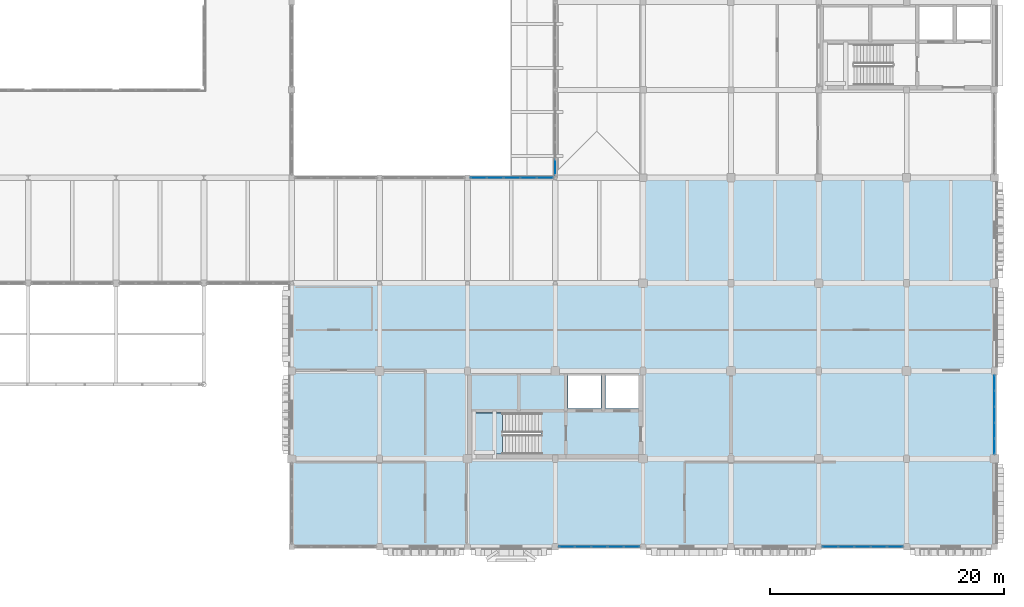
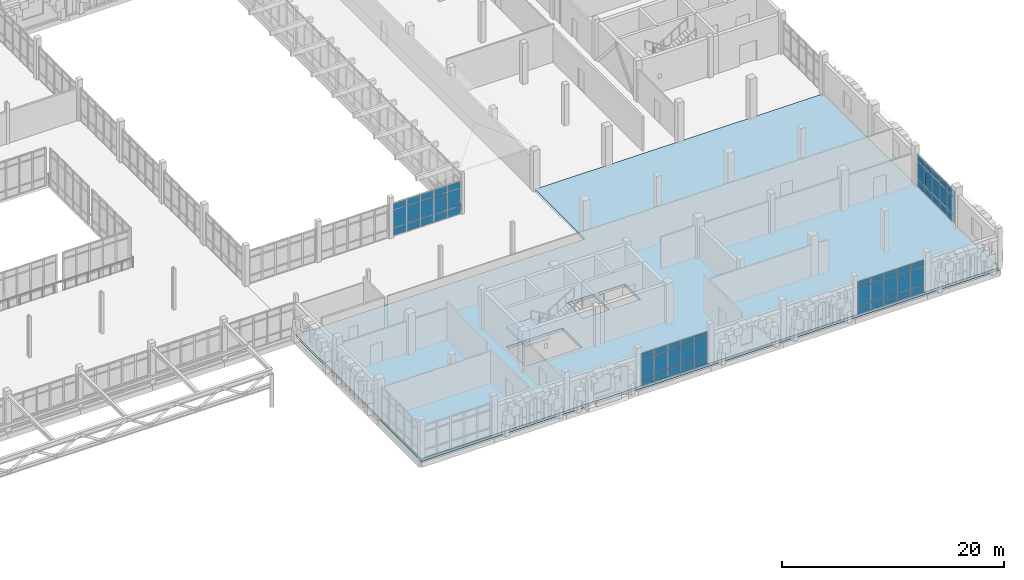
# One storey, part 87 of 128: 61 plates, 2 slabs, 6 elements without a shape of their own.
"""IFC4 building model written with IfcOpenShell, lengths in metres."""

from ifc_helpers import new_model, si_unit, direction, frame, origin, origin_2d, place, context, subcontext, project, spatial, polyline, rectangle, outline, extrude, material, layer, layer_set, type_object, element, aggregate, save


model = new_model("IFC4")

# Units and contexts
model_context = context("Model", 3, precision=1e-05, world=origin(), true_north=direction((0.0, 1.0)))
body_context = subcontext(model_context, "Body", "Model", "MODEL_VIEW")
ifc_project = project(units=[si_unit("LENGTHUNIT", "METRE"), si_unit("AREAUNIT", "SQUARE_METRE"), si_unit("VOLUMEUNIT", "CUBIC_METRE"), si_unit("PLANEANGLEUNIT", "RADIAN"), si_unit("MASSUNIT", "GRAM", prefix="KILO")], contexts=[model_context])

# Site, building, storey
site_placement = place(None, origin())
site = spatial("IfcSite", under=ifc_project, at=site_placement, CompositionType="ELEMENT")
building_placement = place(site_placement, origin())
building = spatial("IfcBuilding", under=site, at=building_placement, Name="Dalvernix Boulevard General Hospital", CompositionType="ELEMENT")
storey_placement = place(building_placement, frame((0.0, 0.0, 4.800048828125)))
storey = spatial("IfcBuildingStorey", under=building, at=storey_placement, Name="L01", CompositionType="ELEMENT", Elevation=4.800048828125)

# Curtain wall, plates
ifc_material_1 = material(Name="Thermally broken aluminium and solar-control glass curtain wall", Category="aluminium")
ifc_layer_1 = layer(ifc_material_1, 0.179931640625)
ifc_layer_set_1 = layer_set([ifc_layer_1], Name="Thermally broken aluminium and solar-control glass curtain wall (CW-CW-B-71x36)")
curtain_wall_type_1 = type_object("IfcCurtainWallType", Name="CW-CW-B-71x36", PredefinedType="USERDEFINED", material=ifc_layer_set_1)
curtain_wall_1_placement = place(storey_placement, origin())
curtain_wall_1 = element("IfcCurtainWall", 1, at=curtain_wall_1_placement, inside=storey, type_object=curtain_wall_type_1, Name="L01 curtain wall CW-B-71x36 17-4", ObjectType="GLAZED FACADE", PredefinedType="USERDEFINED")
ifc_material_2 = material(Name="Double-glazed solar-control low-emissivity glass", Category="glass")
ifc_layer_2 = layer(ifc_material_2, 0.028076171875)
ifc_layer_set_2 = layer_set([ifc_layer_2], Name="Double-glazed solar-control low-emissivity glass (PLT-CW-P2)")
plate_type_1 = type_object("IfcPlateType", Name="PLT-CW-P2", PredefinedType="CURTAIN_PANEL", material=ifc_layer_set_2)
plate_1_placement = place(storey_placement, frame((128.462646484375, 31.5, 0.06494140625), z_axis=(0.0, 0.0, 1.0), x_axis=(1.0, 0.0, 0.0)))
plate_1 = element("IfcPlate", 2, at=plate_1_placement, type_object=plate_type_1, Name="CW-B-71x36 panel 1.1", PredefinedType="CURTAIN_PANEL", context=body_context, shape_type="SweptSolid", body=[
    extrude(rectangle(XDim=1.325439453125, YDim=0.028076171875, at=origin_2d()), origin(), (0.0, 0.0, 1.0), 0.802490234375),
])
plate_2_placement = place(storey_placement, frame((128.462646484375, 31.5, 0.932373046875), z_axis=(0.0, 0.0, 1.0), x_axis=(1.0, 0.0, 0.0)))
plate_2 = element("IfcPlate", 3, at=plate_2_placement, type_object=plate_type_1, Name="CW-B-71x36 panel 1.2", PredefinedType="CURTAIN_PANEL", context=body_context, shape_type="SweptSolid", body=[
    extrude(rectangle(XDim=1.325439453125, YDim=0.028076171875, at=origin_2d()), origin(), (0.0, 0.0, 1.0), 1.9150390625),
])
plate_3_placement = place(storey_placement, frame((128.462646484375, 31.5, 2.91259765625), z_axis=(0.0, 0.0, 1.0), x_axis=(1.0, 0.0, 0.0)))
plate_3 = element("IfcPlate", 4, at=plate_3_placement, type_object=plate_type_1, Name="CW-B-71x36 panel 1.3", PredefinedType="CURTAIN_PANEL", context=body_context, shape_type="SweptSolid", body=[
    extrude(rectangle(XDim=1.325439453125, YDim=0.028076171875, at=origin_2d()), origin(), (0.0, 0.0, 1.0), 0.652587890625),
])
plate_4_placement = place(storey_placement, frame((129.869384765625, 31.5, 0.06494140625), z_axis=(0.0, 0.0, 1.0), x_axis=(1.0, 0.0, 0.0)))
plate_4 = element("IfcPlate", 5, at=plate_4_placement, type_object=plate_type_1, Name="CW-B-71x36 panel 2.1", PredefinedType="CURTAIN_PANEL", context=body_context, shape_type="SweptSolid", body=[
    extrude(rectangle(XDim=1.35791015625, YDim=0.028076171875, at=origin_2d()), origin(), (0.0, 0.0, 1.0), 0.802490234375),
])
plate_5_placement = place(storey_placement, frame((129.869384765625, 31.5, 0.932373046875), z_axis=(0.0, 0.0, 1.0), x_axis=(1.0, 0.0, 0.0)))
plate_5 = element("IfcPlate", 6, at=plate_5_placement, type_object=plate_type_1, Name="CW-B-71x36 panel 2.2", PredefinedType="CURTAIN_PANEL", context=body_context, shape_type="SweptSolid", body=[
    extrude(rectangle(XDim=1.35791015625, YDim=0.028076171875, at=origin_2d()), origin(), (0.0, 0.0, 1.0), 1.9150390625),
])
plate_6_placement = place(storey_placement, frame((129.869384765625, 31.5, 2.91259765625), z_axis=(0.0, 0.0, 1.0), x_axis=(1.0, 0.0, 0.0)))
plate_6 = element("IfcPlate", 7, at=plate_6_placement, type_object=plate_type_1, Name="CW-B-71x36 panel 2.3", PredefinedType="CURTAIN_PANEL", context=body_context, shape_type="SweptSolid", body=[
    extrude(rectangle(XDim=1.35791015625, YDim=0.028076171875, at=origin_2d()), origin(), (0.0, 0.0, 1.0), 0.652587890625),
])
plate_7_placement = place(storey_placement, frame((131.29248046875, 31.5, 0.06494140625), z_axis=(0.0, 0.0, 1.0), x_axis=(1.0, 0.0, 0.0)))
plate_7 = element("IfcPlate", 8, at=plate_7_placement, type_object=plate_type_1, Name="CW-B-71x36 panel 3.1", PredefinedType="CURTAIN_PANEL", context=body_context, shape_type="SweptSolid", body=[
    extrude(rectangle(XDim=1.35791015625, YDim=0.028076171875, at=origin_2d()), origin(), (0.0, 0.0, 1.0), 0.802490234375),
])
plate_8_placement = place(storey_placement, frame((131.29248046875, 31.5, 0.932373046875), z_axis=(0.0, 0.0, 1.0), x_axis=(1.0, 0.0, 0.0)))
plate_8 = element("IfcPlate", 9, at=plate_8_placement, type_object=plate_type_1, Name="CW-B-71x36 panel 3.2", PredefinedType="CURTAIN_PANEL", context=body_context, shape_type="SweptSolid", body=[
    extrude(rectangle(XDim=1.35791015625, YDim=0.028076171875, at=origin_2d()), origin(), (0.0, 0.0, 1.0), 1.9150390625),
])
plate_9_placement = place(storey_placement, frame((131.29248046875, 31.5, 2.91259765625), z_axis=(0.0, 0.0, 1.0), x_axis=(1.0, 0.0, 0.0)))
plate_9 = element("IfcPlate", 10, at=plate_9_placement, type_object=plate_type_1, Name="CW-B-71x36 panel 3.3", PredefinedType="CURTAIN_PANEL", context=body_context, shape_type="SweptSolid", body=[
    extrude(rectangle(XDim=1.35791015625, YDim=0.028076171875, at=origin_2d()), origin(), (0.0, 0.0, 1.0), 0.652587890625),
])
plate_10_placement = place(storey_placement, frame((132.715576171875, 31.5, 0.06494140625), z_axis=(0.0, 0.0, 1.0), x_axis=(1.0, 0.0, 0.0)))
plate_10 = element("IfcPlate", 11, at=plate_10_placement, type_object=plate_type_1, Name="CW-B-71x36 panel 4.1", PredefinedType="CURTAIN_PANEL", context=body_context, shape_type="SweptSolid", body=[
    extrude(rectangle(XDim=1.35791015625, YDim=0.028076171875, at=origin_2d()), origin(), (0.0, 0.0, 1.0), 0.802490234375),
])
plate_11_placement = place(storey_placement, frame((132.715576171875, 31.5, 0.932373046875), z_axis=(0.0, 0.0, 1.0), x_axis=(1.0, 0.0, 0.0)))
plate_11 = element("IfcPlate", 12, at=plate_11_placement, type_object=plate_type_1, Name="CW-B-71x36 panel 4.2", PredefinedType="CURTAIN_PANEL", context=body_context, shape_type="SweptSolid", body=[
    extrude(rectangle(XDim=1.35791015625, YDim=0.028076171875, at=origin_2d()), origin(), (0.0, 0.0, 1.0), 1.9150390625),
])
plate_12_placement = place(storey_placement, frame((132.715576171875, 31.5, 2.91259765625), z_axis=(0.0, 0.0, 1.0), x_axis=(1.0, 0.0, 0.0)))
plate_12 = element("IfcPlate", 13, at=plate_12_placement, type_object=plate_type_1, Name="CW-B-71x36 panel 4.3", PredefinedType="CURTAIN_PANEL", context=body_context, shape_type="SweptSolid", body=[
    extrude(rectangle(XDim=1.35791015625, YDim=0.028076171875, at=origin_2d()), origin(), (0.0, 0.0, 1.0), 0.652587890625),
])
plate_13_placement = place(storey_placement, frame((134.122314453125, 31.5, 0.06494140625), z_axis=(0.0, 0.0, 1.0), x_axis=(1.0, 0.0, 0.0)))
plate_13 = element("IfcPlate", 14, at=plate_13_placement, type_object=plate_type_1, Name="CW-B-71x36 panel 5.1", PredefinedType="CURTAIN_PANEL", context=body_context, shape_type="SweptSolid", body=[
    extrude(rectangle(XDim=1.325439453125, YDim=0.028076171875, at=origin_2d()), origin(), (0.0, 0.0, 1.0), 0.802490234375),
])
plate_14_placement = place(storey_placement, frame((134.122314453125, 31.5, 0.932373046875), z_axis=(0.0, 0.0, 1.0), x_axis=(1.0, 0.0, 0.0)))
plate_14 = element("IfcPlate", 15, at=plate_14_placement, type_object=plate_type_1, Name="CW-B-71x36 panel 5.2", PredefinedType="CURTAIN_PANEL", context=body_context, shape_type="SweptSolid", body=[
    extrude(rectangle(XDim=1.325439453125, YDim=0.028076171875, at=origin_2d()), origin(), (0.0, 0.0, 1.0), 1.9150390625),
])
plate_15_placement = place(storey_placement, frame((134.122314453125, 31.5, 2.91259765625), z_axis=(0.0, 0.0, 1.0), x_axis=(1.0, 0.0, 0.0)))
plate_15 = element("IfcPlate", 16, at=plate_15_placement, type_object=plate_type_1, Name="CW-B-71x36 panel 5.3", PredefinedType="CURTAIN_PANEL", context=body_context, shape_type="SweptSolid", body=[
    extrude(rectangle(XDim=1.325439453125, YDim=0.028076171875, at=origin_2d()), origin(), (0.0, 0.0, 1.0), 0.652587890625),
])
aggregate(curtain_wall_1, [plate_1, plate_2, plate_3, plate_4, plate_5, plate_6, plate_7, plate_8, plate_9, plate_10, plate_11, plate_12, plate_13, plate_14, plate_15])

ifc_layer_3 = layer(ifc_material_1, 0.179931640625)
ifc_layer_set_3 = layer_set([ifc_layer_3], Name="Thermally broken aluminium and solar-control glass curtain wall (CW-CW-B-70x36)")
curtain_wall_type_2 = type_object("IfcCurtainWallType", Name="CW-CW-B-70x36", PredefinedType="USERDEFINED", material=ifc_layer_set_3)
curtain_wall_2_placement = place(storey_placement, origin())
curtain_wall_2 = element("IfcCurtainWall", 17, at=curtain_wall_2_placement, inside=storey, type_object=curtain_wall_type_2, Name="L01 curtain wall CW-B-70x36 18-0", ObjectType="GLAZED FACADE", PredefinedType="USERDEFINED")
plate_16_placement = place(storey_placement, frame((141.5283203125, 0.0, 0.06494140625), z_axis=(0.0, 0.0, 1.0), x_axis=(-1.0, 0.0, 0.0)))
plate_16 = element("IfcPlate", 18, at=plate_16_placement, type_object=plate_type_1, Name="CW-B-70x36 panel 1.1", PredefinedType="CURTAIN_PANEL", context=body_context, shape_type="SweptSolid", body=[
    extrude(rectangle(XDim=1.29345703125, YDim=0.028076171875, at=origin_2d()), origin(), (0.0, 0.0, 1.0), 0.802490234375),
])
plate_17_placement = place(storey_placement, frame((141.5283203125, 0.0, 0.932373046875), z_axis=(0.0, 0.0, 1.0), x_axis=(-1.0, 0.0, 0.0)))
plate_17 = element("IfcPlate", 19, at=plate_17_placement, type_object=plate_type_1, Name="CW-B-70x36 panel 1.2", PredefinedType="CURTAIN_PANEL", context=body_context, shape_type="SweptSolid", body=[
    extrude(rectangle(XDim=1.29345703125, YDim=0.028076171875, at=origin_2d()), origin(), (0.0, 0.0, 1.0), 1.9150390625),
])
plate_18_placement = place(storey_placement, frame((141.5283203125, 0.0, 2.91259765625), z_axis=(0.0, 0.0, 1.0), x_axis=(-1.0, 0.0, 0.0)))
plate_18 = element("IfcPlate", 20, at=plate_18_placement, type_object=plate_type_1, Name="CW-B-70x36 panel 1.3", PredefinedType="CURTAIN_PANEL", context=body_context, shape_type="SweptSolid", body=[
    extrude(rectangle(XDim=1.29345703125, YDim=0.028076171875, at=origin_2d()), origin(), (0.0, 0.0, 1.0), 0.652587890625),
])
plate_19_placement = place(storey_placement, frame((140.153564453125, 0.0, 0.06494140625), z_axis=(0.0, 0.0, 1.0), x_axis=(-1.0, 0.0, 0.0)))
plate_19 = element("IfcPlate", 21, at=plate_19_placement, type_object=plate_type_1, Name="CW-B-70x36 panel 2.1", PredefinedType="CURTAIN_PANEL", context=body_context, shape_type="SweptSolid", body=[
    extrude(rectangle(XDim=1.325927734375, YDim=0.028076171875, at=origin_2d()), origin(), (0.0, 0.0, 1.0), 0.802490234375),
])
plate_20_placement = place(storey_placement, frame((140.153564453125, 0.0, 0.932373046875), z_axis=(0.0, 0.0, 1.0), x_axis=(-1.0, 0.0, 0.0)))
plate_20 = element("IfcPlate", 22, at=plate_20_placement, type_object=plate_type_1, Name="CW-B-70x36 panel 2.2", PredefinedType="CURTAIN_PANEL", context=body_context, shape_type="SweptSolid", body=[
    extrude(rectangle(XDim=1.325927734375, YDim=0.028076171875, at=origin_2d()), origin(), (0.0, 0.0, 1.0), 1.9150390625),
])
plate_21_placement = place(storey_placement, frame((140.153564453125, 0.0, 2.91259765625), z_axis=(0.0, 0.0, 1.0), x_axis=(-1.0, 0.0, 0.0)))
plate_21 = element("IfcPlate", 23, at=plate_21_placement, type_object=plate_type_1, Name="CW-B-70x36 panel 2.3", PredefinedType="CURTAIN_PANEL", context=body_context, shape_type="SweptSolid", body=[
    extrude(rectangle(XDim=1.325927734375, YDim=0.028076171875, at=origin_2d()), origin(), (0.0, 0.0, 1.0), 0.652587890625),
])
plate_22_placement = place(storey_placement, frame((138.762451171875, 0.0, 0.06494140625), z_axis=(0.0, 0.0, 1.0), x_axis=(-1.0, 0.0, 0.0)))
plate_22 = element("IfcPlate", 24, at=plate_22_placement, type_object=plate_type_1, Name="CW-B-70x36 panel 3.1", PredefinedType="CURTAIN_PANEL", context=body_context, shape_type="SweptSolid", body=[
    extrude(rectangle(XDim=1.325927734375, YDim=0.028076171875, at=origin_2d()), origin(), (0.0, 0.0, 1.0), 0.802490234375),
])
plate_23_placement = place(storey_placement, frame((138.762451171875, 0.0, 0.932373046875), z_axis=(0.0, 0.0, 1.0), x_axis=(-1.0, 0.0, 0.0)))
plate_23 = element("IfcPlate", 25, at=plate_23_placement, type_object=plate_type_1, Name="CW-B-70x36 panel 3.2", PredefinedType="CURTAIN_PANEL", context=body_context, shape_type="SweptSolid", body=[
    extrude(rectangle(XDim=1.325927734375, YDim=0.028076171875, at=origin_2d()), origin(), (0.0, 0.0, 1.0), 1.9150390625),
])
plate_24_placement = place(storey_placement, frame((138.762451171875, 0.0, 2.91259765625), z_axis=(0.0, 0.0, 1.0), x_axis=(-1.0, 0.0, 0.0)))
plate_24 = element("IfcPlate", 26, at=plate_24_placement, type_object=plate_type_1, Name="CW-B-70x36 panel 3.3", PredefinedType="CURTAIN_PANEL", context=body_context, shape_type="SweptSolid", body=[
    extrude(rectangle(XDim=1.325927734375, YDim=0.028076171875, at=origin_2d()), origin(), (0.0, 0.0, 1.0), 0.652587890625),
])
plate_25_placement = place(storey_placement, frame((137.37158203125, 0.0, 0.06494140625), z_axis=(0.0, 0.0, 1.0), x_axis=(-1.0, 0.0, 0.0)))
plate_25 = element("IfcPlate", 27, at=plate_25_placement, type_object=plate_type_1, Name="CW-B-70x36 panel 4.1", PredefinedType="CURTAIN_PANEL", context=body_context, shape_type="SweptSolid", body=[
    extrude(rectangle(XDim=1.325927734375, YDim=0.028076171875, at=origin_2d()), origin(), (0.0, 0.0, 1.0), 0.802490234375),
])
plate_26_placement = place(storey_placement, frame((137.37158203125, 0.0, 0.932373046875), z_axis=(0.0, 0.0, 1.0), x_axis=(-1.0, 0.0, 0.0)))
plate_26 = element("IfcPlate", 28, at=plate_26_placement, type_object=plate_type_1, Name="CW-B-70x36 panel 4.2", PredefinedType="CURTAIN_PANEL", context=body_context, shape_type="SweptSolid", body=[
    extrude(rectangle(XDim=1.325927734375, YDim=0.028076171875, at=origin_2d()), origin(), (0.0, 0.0, 1.0), 1.9150390625),
])
plate_27_placement = place(storey_placement, frame((137.37158203125, 0.0, 2.91259765625), z_axis=(0.0, 0.0, 1.0), x_axis=(-1.0, 0.0, 0.0)))
plate_27 = element("IfcPlate", 29, at=plate_27_placement, type_object=plate_type_1, Name="CW-B-70x36 panel 4.3", PredefinedType="CURTAIN_PANEL", context=body_context, shape_type="SweptSolid", body=[
    extrude(rectangle(XDim=1.325927734375, YDim=0.028076171875, at=origin_2d()), origin(), (0.0, 0.0, 1.0), 0.652587890625),
])
plate_28_placement = place(storey_placement, frame((135.996826171875, 0.0, 0.06494140625), z_axis=(0.0, 0.0, 1.0), x_axis=(-1.0, 0.0, 0.0)))
plate_28 = element("IfcPlate", 30, at=plate_28_placement, type_object=plate_type_1, Name="CW-B-70x36 panel 5.1", PredefinedType="CURTAIN_PANEL", context=body_context, shape_type="SweptSolid", body=[
    extrude(rectangle(XDim=1.29345703125, YDim=0.028076171875, at=origin_2d()), origin(), (0.0, 0.0, 1.0), 0.802490234375),
])
plate_29_placement = place(storey_placement, frame((135.996826171875, 0.0, 0.932373046875), z_axis=(0.0, 0.0, 1.0), x_axis=(-1.0, 0.0, 0.0)))
plate_29 = element("IfcPlate", 31, at=plate_29_placement, type_object=plate_type_1, Name="CW-B-70x36 panel 5.2", PredefinedType="CURTAIN_PANEL", context=body_context, shape_type="SweptSolid", body=[
    extrude(rectangle(XDim=1.29345703125, YDim=0.028076171875, at=origin_2d()), origin(), (0.0, 0.0, 1.0), 1.9150390625),
])
plate_30_placement = place(storey_placement, frame((135.996826171875, 0.0, 2.91259765625), z_axis=(0.0, 0.0, 1.0), x_axis=(-1.0, 0.0, 0.0)))
plate_30 = element("IfcPlate", 32, at=plate_30_placement, type_object=plate_type_1, Name="CW-B-70x36 panel 5.3", PredefinedType="CURTAIN_PANEL", context=body_context, shape_type="SweptSolid", body=[
    extrude(rectangle(XDim=1.29345703125, YDim=0.028076171875, at=origin_2d()), origin(), (0.0, 0.0, 1.0), 0.652587890625),
])
aggregate(curtain_wall_2, [plate_16, plate_17, plate_18, plate_19, plate_20, plate_21, plate_22, plate_23, plate_24, plate_25, plate_26, plate_27, plate_28, plate_29, plate_30])

curtain_wall_3_placement = place(storey_placement, origin())
curtain_wall_3 = element("IfcCurtainWall", 33, at=curtain_wall_3_placement, inside=storey, type_object=curtain_wall_type_2, Name="L01 curtain wall CW-B-70x36 21-0", ObjectType="GLAZED FACADE", PredefinedType="USERDEFINED")
plate_31_placement = place(storey_placement, frame((164.003173828125, 0.0, 0.06494140625), z_axis=(0.0, 0.0, 1.0), x_axis=(-1.0, 0.0, 0.0)))
plate_31 = element("IfcPlate", 34, at=plate_31_placement, type_object=plate_type_1, Name="CW-B-70x36 panel 1.1", PredefinedType="CURTAIN_PANEL", context=body_context, shape_type="SweptSolid", body=[
    extrude(rectangle(XDim=1.29345703125, YDim=0.028076171875, at=origin_2d()), origin(), (0.0, 0.0, 1.0), 0.802490234375),
])
plate_32_placement = place(storey_placement, frame((164.003173828125, 0.0, 0.932373046875), z_axis=(0.0, 0.0, 1.0), x_axis=(-1.0, 0.0, 0.0)))
plate_32 = element("IfcPlate", 35, at=plate_32_placement, type_object=plate_type_1, Name="CW-B-70x36 panel 1.2", PredefinedType="CURTAIN_PANEL", context=body_context, shape_type="SweptSolid", body=[
    extrude(rectangle(XDim=1.29345703125, YDim=0.028076171875, at=origin_2d()), origin(), (0.0, 0.0, 1.0), 1.9150390625),
])
plate_33_placement = place(storey_placement, frame((164.003173828125, 0.0, 2.91259765625), z_axis=(0.0, 0.0, 1.0), x_axis=(-1.0, 0.0, 0.0)))
plate_33 = element("IfcPlate", 36, at=plate_33_placement, type_object=plate_type_1, Name="CW-B-70x36 panel 1.3", PredefinedType="CURTAIN_PANEL", context=body_context, shape_type="SweptSolid", body=[
    extrude(rectangle(XDim=1.29345703125, YDim=0.028076171875, at=origin_2d()), origin(), (0.0, 0.0, 1.0), 0.652587890625),
])
plate_34_placement = place(storey_placement, frame((162.62841796875, 0.0, 0.06494140625), z_axis=(0.0, 0.0, 1.0), x_axis=(-1.0, 0.0, 0.0)))
plate_34 = element("IfcPlate", 37, at=plate_34_placement, type_object=plate_type_1, Name="CW-B-70x36 panel 2.1", PredefinedType="CURTAIN_PANEL", context=body_context, shape_type="SweptSolid", body=[
    extrude(rectangle(XDim=1.325927734375, YDim=0.028076171875, at=origin_2d()), origin(), (0.0, 0.0, 1.0), 0.802490234375),
])
plate_35_placement = place(storey_placement, frame((162.62841796875, 0.0, 0.932373046875), z_axis=(0.0, 0.0, 1.0), x_axis=(-1.0, 0.0, 0.0)))
plate_35 = element("IfcPlate", 38, at=plate_35_placement, type_object=plate_type_1, Name="CW-B-70x36 panel 2.2", PredefinedType="CURTAIN_PANEL", context=body_context, shape_type="SweptSolid", body=[
    extrude(rectangle(XDim=1.325927734375, YDim=0.028076171875, at=origin_2d()), origin(), (0.0, 0.0, 1.0), 1.9150390625),
])
plate_36_placement = place(storey_placement, frame((162.62841796875, 0.0, 2.91259765625), z_axis=(0.0, 0.0, 1.0), x_axis=(-1.0, 0.0, 0.0)))
plate_36 = element("IfcPlate", 39, at=plate_36_placement, type_object=plate_type_1, Name="CW-B-70x36 panel 2.3", PredefinedType="CURTAIN_PANEL", context=body_context, shape_type="SweptSolid", body=[
    extrude(rectangle(XDim=1.325927734375, YDim=0.028076171875, at=origin_2d()), origin(), (0.0, 0.0, 1.0), 0.652587890625),
])
plate_37_placement = place(storey_placement, frame((161.237548828125, 0.0, 0.06494140625), z_axis=(0.0, 0.0, 1.0), x_axis=(-1.0, 0.0, 0.0)))
plate_37 = element("IfcPlate", 40, at=plate_37_placement, type_object=plate_type_1, Name="CW-B-70x36 panel 3.1", PredefinedType="CURTAIN_PANEL", context=body_context, shape_type="SweptSolid", body=[
    extrude(rectangle(XDim=1.325927734375, YDim=0.028076171875, at=origin_2d()), origin(), (0.0, 0.0, 1.0), 0.802490234375),
])
plate_38_placement = place(storey_placement, frame((161.237548828125, 0.0, 0.932373046875), z_axis=(0.0, 0.0, 1.0), x_axis=(-1.0, 0.0, 0.0)))
plate_38 = element("IfcPlate", 41, at=plate_38_placement, type_object=plate_type_1, Name="CW-B-70x36 panel 3.2", PredefinedType="CURTAIN_PANEL", context=body_context, shape_type="SweptSolid", body=[
    extrude(rectangle(XDim=1.325927734375, YDim=0.028076171875, at=origin_2d()), origin(), (0.0, 0.0, 1.0), 1.9150390625),
])
plate_39_placement = place(storey_placement, frame((161.237548828125, 0.0, 2.91259765625), z_axis=(0.0, 0.0, 1.0), x_axis=(-1.0, 0.0, 0.0)))
plate_39 = element("IfcPlate", 42, at=plate_39_placement, type_object=plate_type_1, Name="CW-B-70x36 panel 3.3", PredefinedType="CURTAIN_PANEL", context=body_context, shape_type="SweptSolid", body=[
    extrude(rectangle(XDim=1.325927734375, YDim=0.028076171875, at=origin_2d()), origin(), (0.0, 0.0, 1.0), 0.652587890625),
])
plate_40_placement = place(storey_placement, frame((159.846435546875, 0.0, 0.06494140625), z_axis=(0.0, 0.0, 1.0), x_axis=(-1.0, 0.0, 0.0)))
plate_40 = element("IfcPlate", 43, at=plate_40_placement, type_object=plate_type_1, Name="CW-B-70x36 panel 4.1", PredefinedType="CURTAIN_PANEL", context=body_context, shape_type="SweptSolid", body=[
    extrude(rectangle(XDim=1.325927734375, YDim=0.028076171875, at=origin_2d()), origin(), (0.0, 0.0, 1.0), 0.802490234375),
])
plate_41_placement = place(storey_placement, frame((159.846435546875, 0.0, 0.932373046875), z_axis=(0.0, 0.0, 1.0), x_axis=(-1.0, 0.0, 0.0)))
plate_41 = element("IfcPlate", 44, at=plate_41_placement, type_object=plate_type_1, Name="CW-B-70x36 panel 4.2", PredefinedType="CURTAIN_PANEL", context=body_context, shape_type="SweptSolid", body=[
    extrude(rectangle(XDim=1.325927734375, YDim=0.028076171875, at=origin_2d()), origin(), (0.0, 0.0, 1.0), 1.9150390625),
])
plate_42_placement = place(storey_placement, frame((159.846435546875, 0.0, 2.91259765625), z_axis=(0.0, 0.0, 1.0), x_axis=(-1.0, 0.0, 0.0)))
plate_42 = element("IfcPlate", 45, at=plate_42_placement, type_object=plate_type_1, Name="CW-B-70x36 panel 4.3", PredefinedType="CURTAIN_PANEL", context=body_context, shape_type="SweptSolid", body=[
    extrude(rectangle(XDim=1.325927734375, YDim=0.028076171875, at=origin_2d()), origin(), (0.0, 0.0, 1.0), 0.652587890625),
])
plate_43_placement = place(storey_placement, frame((158.4716796875, 0.0, 0.06494140625), z_axis=(0.0, 0.0, 1.0), x_axis=(-1.0, 0.0, 0.0)))
plate_43 = element("IfcPlate", 46, at=plate_43_placement, type_object=plate_type_1, Name="CW-B-70x36 panel 5.1", PredefinedType="CURTAIN_PANEL", context=body_context, shape_type="SweptSolid", body=[
    extrude(rectangle(XDim=1.29345703125, YDim=0.028076171875, at=origin_2d()), origin(), (0.0, 0.0, 1.0), 0.802490234375),
])
plate_44_placement = place(storey_placement, frame((158.4716796875, 0.0, 0.932373046875), z_axis=(0.0, 0.0, 1.0), x_axis=(-1.0, 0.0, 0.0)))
plate_44 = element("IfcPlate", 47, at=plate_44_placement, type_object=plate_type_1, Name="CW-B-70x36 panel 5.2", PredefinedType="CURTAIN_PANEL", context=body_context, shape_type="SweptSolid", body=[
    extrude(rectangle(XDim=1.29345703125, YDim=0.028076171875, at=origin_2d()), origin(), (0.0, 0.0, 1.0), 1.9150390625),
])
plate_45_placement = place(storey_placement, frame((158.4716796875, 0.0, 2.91259765625), z_axis=(0.0, 0.0, 1.0), x_axis=(-1.0, 0.0, 0.0)))
plate_45 = element("IfcPlate", 48, at=plate_45_placement, type_object=plate_type_1, Name="CW-B-70x36 panel 5.3", PredefinedType="CURTAIN_PANEL", context=body_context, shape_type="SweptSolid", body=[
    extrude(rectangle(XDim=1.29345703125, YDim=0.028076171875, at=origin_2d()), origin(), (0.0, 0.0, 1.0), 0.652587890625),
])
aggregate(curtain_wall_3, [plate_31, plate_32, plate_33, plate_34, plate_35, plate_36, plate_37, plate_38, plate_39, plate_40, plate_41, plate_42, plate_43, plate_44, plate_45])

ifc_layer_4 = layer(ifc_material_1, 0.179931640625)
ifc_layer_set_4 = layer_set([ifc_layer_4], Name="Thermally broken aluminium and solar-control glass curtain wall (CW-CW-B-68x36)")
curtain_wall_type_3 = type_object("IfcCurtainWallType", Name="CW-CW-B-68x36", PredefinedType="USERDEFINED", material=ifc_layer_set_4)
curtain_wall_4_placement = place(storey_placement, origin())
curtain_wall_4 = element("IfcCurtainWall", 49, at=curtain_wall_4_placement, inside=storey, type_object=curtain_wall_type_3, Name="L01 curtain wall CW-B-68x36 23-1", ObjectType="GLAZED FACADE", PredefinedType="USERDEFINED")
plate_46_placement = place(storey_placement, frame((172.5, 13.970703125, 0.06494140625), z_axis=(0.0, 0.0, 1.0), x_axis=(0.0, -1.0, 0.0)))
plate_46 = element("IfcPlate", 50, at=plate_46_placement, type_object=plate_type_1, Name="CW-B-68x36 panel 1.1", PredefinedType="CURTAIN_PANEL", context=body_context, shape_type="SweptSolid", body=[
    extrude(rectangle(XDim=1.258544921875, YDim=0.028076171875, at=origin_2d()), origin(), (0.0, 0.0, 1.0), 0.802490234375),
])
plate_47_placement = place(storey_placement, frame((172.5, 13.970703125, 0.932373046875), z_axis=(0.0, 0.0, 1.0), x_axis=(0.0, -1.0, 0.0)))
plate_47 = element("IfcPlate", 51, at=plate_47_placement, type_object=plate_type_1, Name="CW-B-68x36 panel 1.2", PredefinedType="CURTAIN_PANEL", context=body_context, shape_type="SweptSolid", body=[
    extrude(rectangle(XDim=1.258544921875, YDim=0.028076171875, at=origin_2d()), origin(), (0.0, 0.0, 1.0), 1.9150390625),
])
plate_48_placement = place(storey_placement, frame((172.5, 13.970703125, 2.91259765625), z_axis=(0.0, 0.0, 1.0), x_axis=(0.0, -1.0, 0.0)))
plate_48 = element("IfcPlate", 52, at=plate_48_placement, type_object=plate_type_1, Name="CW-B-68x36 panel 1.3", PredefinedType="CURTAIN_PANEL", context=body_context, shape_type="SweptSolid", body=[
    extrude(rectangle(XDim=1.258544921875, YDim=0.028076171875, at=origin_2d()), origin(), (0.0, 0.0, 1.0), 0.652587890625),
])
plate_49_placement = place(storey_placement, frame((172.5, 12.631103515625, 0.06494140625), z_axis=(0.0, 0.0, 1.0), x_axis=(0.0, -1.0, 0.0)))
plate_49 = element("IfcPlate", 53, at=plate_49_placement, type_object=plate_type_1, Name="CW-B-68x36 panel 2.1", PredefinedType="CURTAIN_PANEL", context=body_context, shape_type="SweptSolid", body=[
    extrude(rectangle(XDim=1.291015625, YDim=0.028076171875, at=origin_2d()), origin(), (0.0, 0.0, 1.0), 0.802490234375),
])
plate_50_placement = place(storey_placement, frame((172.5, 12.631103515625, 0.932373046875), z_axis=(0.0, 0.0, 1.0), x_axis=(0.0, -1.0, 0.0)))
plate_50 = element("IfcPlate", 54, at=plate_50_placement, type_object=plate_type_1, Name="CW-B-68x36 panel 2.2", PredefinedType="CURTAIN_PANEL", context=body_context, shape_type="SweptSolid", body=[
    extrude(rectangle(XDim=1.291015625, YDim=0.028076171875, at=origin_2d()), origin(), (0.0, 0.0, 1.0), 1.9150390625),
])
plate_51_placement = place(storey_placement, frame((172.5, 12.631103515625, 2.91259765625), z_axis=(0.0, 0.0, 1.0), x_axis=(0.0, -1.0, 0.0)))
plate_51 = element("IfcPlate", 55, at=plate_51_placement, type_object=plate_type_1, Name="CW-B-68x36 panel 2.3", PredefinedType="CURTAIN_PANEL", context=body_context, shape_type="SweptSolid", body=[
    extrude(rectangle(XDim=1.291015625, YDim=0.028076171875, at=origin_2d()), origin(), (0.0, 0.0, 1.0), 0.652587890625),
])
plate_52_placement = place(storey_placement, frame((172.5, 11.27490234375, 0.06494140625), z_axis=(0.0, 0.0, 1.0), x_axis=(0.0, -1.0, 0.0)))
plate_52 = element("IfcPlate", 56, at=plate_52_placement, type_object=plate_type_1, Name="CW-B-68x36 panel 3.1", PredefinedType="CURTAIN_PANEL", context=body_context, shape_type="SweptSolid", body=[
    extrude(rectangle(XDim=1.291015625, YDim=0.028076171875, at=origin_2d()), origin(), (0.0, 0.0, 1.0), 0.802490234375),
])
plate_53_placement = place(storey_placement, frame((172.5, 11.27490234375, 0.932373046875), z_axis=(0.0, 0.0, 1.0), x_axis=(0.0, -1.0, 0.0)))
plate_53 = element("IfcPlate", 57, at=plate_53_placement, type_object=plate_type_1, Name="CW-B-68x36 panel 3.2", PredefinedType="CURTAIN_PANEL", context=body_context, shape_type="SweptSolid", body=[
    extrude(rectangle(XDim=1.291015625, YDim=0.028076171875, at=origin_2d()), origin(), (0.0, 0.0, 1.0), 1.9150390625),
])
plate_54_placement = place(storey_placement, frame((172.5, 11.27490234375, 2.91259765625), z_axis=(0.0, 0.0, 1.0), x_axis=(0.0, -1.0, 0.0)))
plate_54 = element("IfcPlate", 58, at=plate_54_placement, type_object=plate_type_1, Name="CW-B-68x36 panel 3.3", PredefinedType="CURTAIN_PANEL", context=body_context, shape_type="SweptSolid", body=[
    extrude(rectangle(XDim=1.291015625, YDim=0.028076171875, at=origin_2d()), origin(), (0.0, 0.0, 1.0), 0.652587890625),
])
plate_55_placement = place(storey_placement, frame((172.5, 9.9189453125, 0.06494140625), z_axis=(0.0, 0.0, 1.0), x_axis=(0.0, -1.0, 0.0)))
plate_55 = element("IfcPlate", 59, at=plate_55_placement, type_object=plate_type_1, Name="CW-B-68x36 panel 4.1", PredefinedType="CURTAIN_PANEL", context=body_context, shape_type="SweptSolid", body=[
    extrude(rectangle(XDim=1.291015625, YDim=0.028076171875, at=origin_2d()), origin(), (0.0, 0.0, 1.0), 0.802490234375),
])
plate_56_placement = place(storey_placement, frame((172.5, 9.9189453125, 0.932373046875), z_axis=(0.0, 0.0, 1.0), x_axis=(0.0, -1.0, 0.0)))
plate_56 = element("IfcPlate", 60, at=plate_56_placement, type_object=plate_type_1, Name="CW-B-68x36 panel 4.2", PredefinedType="CURTAIN_PANEL", context=body_context, shape_type="SweptSolid", body=[
    extrude(rectangle(XDim=1.291015625, YDim=0.028076171875, at=origin_2d()), origin(), (0.0, 0.0, 1.0), 1.9150390625),
])
plate_57_placement = place(storey_placement, frame((172.5, 9.9189453125, 2.91259765625), z_axis=(0.0, 0.0, 1.0), x_axis=(0.0, -1.0, 0.0)))
plate_57 = element("IfcPlate", 61, at=plate_57_placement, type_object=plate_type_1, Name="CW-B-68x36 panel 4.3", PredefinedType="CURTAIN_PANEL", context=body_context, shape_type="SweptSolid", body=[
    extrude(rectangle(XDim=1.291015625, YDim=0.028076171875, at=origin_2d()), origin(), (0.0, 0.0, 1.0), 0.652587890625),
])
plate_58_placement = place(storey_placement, frame((172.5, 8.579345703125, 0.06494140625), z_axis=(0.0, 0.0, 1.0), x_axis=(0.0, -1.0, 0.0)))
plate_58 = element("IfcPlate", 62, at=plate_58_placement, type_object=plate_type_1, Name="CW-B-68x36 panel 5.1", PredefinedType="CURTAIN_PANEL", context=body_context, shape_type="SweptSolid", body=[
    extrude(rectangle(XDim=1.258544921875, YDim=0.028076171875, at=origin_2d()), origin(), (0.0, 0.0, 1.0), 0.802490234375),
])
plate_59_placement = place(storey_placement, frame((172.5, 8.579345703125, 0.932373046875), z_axis=(0.0, 0.0, 1.0), x_axis=(0.0, -1.0, 0.0)))
plate_59 = element("IfcPlate", 63, at=plate_59_placement, type_object=plate_type_1, Name="CW-B-68x36 panel 5.2", PredefinedType="CURTAIN_PANEL", context=body_context, shape_type="SweptSolid", body=[
    extrude(rectangle(XDim=1.258544921875, YDim=0.028076171875, at=origin_2d()), origin(), (0.0, 0.0, 1.0), 1.9150390625),
])
plate_60_placement = place(storey_placement, frame((172.5, 8.579345703125, 2.91259765625), z_axis=(0.0, 0.0, 1.0), x_axis=(0.0, -1.0, 0.0)))
plate_60 = element("IfcPlate", 64, at=plate_60_placement, type_object=plate_type_1, Name="CW-B-68x36 panel 5.3", PredefinedType="CURTAIN_PANEL", context=body_context, shape_type="SweptSolid", body=[
    extrude(rectangle(XDim=1.258544921875, YDim=0.028076171875, at=origin_2d()), origin(), (0.0, 0.0, 1.0), 0.652587890625),
])
aggregate(curtain_wall_4, [plate_46, plate_47, plate_48, plate_49, plate_50, plate_51, plate_52, plate_53, plate_54, plate_55, plate_56, plate_57, plate_58, plate_59, plate_60])

# Curtain wall, plate
ifc_layer_5 = layer(ifc_material_1, 0.199951171875)
ifc_layer_set_5 = layer_set([ifc_layer_5], Name="Thermally broken aluminium and solar-control glass curtain wall (CW-CW-C-72x42)")
curtain_wall_type_4 = type_object("IfcCurtainWallType", Name="CW-CW-C-72x42", PredefinedType="USERDEFINED", material=ifc_layer_set_5)
curtain_wall_5_placement = place(storey_placement, origin())
curtain_wall_5 = element("IfcCurtainWall", 65, at=curtain_wall_5_placement, inside=storey, type_object=curtain_wall_type_4, Name="L01 curtain wall CW-C-72x42 18-4", ObjectType="GLAZED FACADE", PredefinedType="USERDEFINED")
ifc_layer_6 = layer(ifc_material_2, 0.035888671875)
ifc_layer_set_6 = layer_set([ifc_layer_6], Name="Double-glazed solar-control low-emissivity glass (PLT-CW-P3)")
plate_type_2 = type_object("IfcPlateType", Name="PLT-CW-P3", PredefinedType="CURTAIN_PANEL", material=ifc_layer_set_6)
plate_61_placement = place(storey_placement, frame((135.0, 32.387451171875, 0.070068359375), z_axis=(0.0, 0.0, 1.0), x_axis=(0.0, 1.0, 0.0)))
plate_61 = element("IfcPlate", 66, at=plate_61_placement, type_object=plate_type_2, Name="CW-C-72x42 panel 1.1", PredefinedType="CURTAIN_PANEL", context=body_context, shape_type="SweptSolid", body=[
    extrude(rectangle(XDim=1.3349609375, YDim=0.035888671875, at=origin_2d()), origin(), (0.0, 0.0, 1.0), 0.794921875),
])
aggregate(curtain_wall_5, [plate_61])

# Slab
ifc_material_3 = material(Name="Concrete C35/45", Category="concrete")
ifc_layer_7 = layer(ifc_material_3, 0.300048828125)
ifc_layer_set_7 = layer_set([ifc_layer_7], Name="Concrete C35/45 (SLB-FS-03)")
slab_type_1 = type_object("IfcSlabType", Name="SLB-FS-03", PredefinedType="FLOOR", material=ifc_layer_set_7)
slab_1_placement = place(storey_placement, frame((0.0, 0.0, -0.300048828125)))
element("IfcSlab", 67, at=slab_1_placement, inside=storey, type_object=slab_type_1, Name="L01 V5 structural floor slab 1", PredefinedType="FLOOR", context=body_context, shape_type="SweptSolid", body=[
    extrude(outline(polyline([(135.0, 22.5), (142.5, 22.5), (142.5, 31.5), (150.0, 31.5), (157.5, 31.5), (165.0, 31.5), (172.5, 31.5), (172.5, 22.5), (172.5, 15.0), (172.5, 7.5), (172.5, 0.0), (165.0, 0.0), (157.5, 0.0), (150.0, 0.0), (142.5, 0.0), (135.0, 0.0), (127.5, 0.0), (120.0, 0.0), (112.5, 0.0), (112.5, 7.5), (112.5, 15.0), (112.5, 22.5), (120.0, 22.5), (127.5, 22.5), (135.0, 22.5)]), holes=[polyline([(127.89990234375, 7.89990234375), (133.7900390625, 7.89990234375), (133.7900390625, 11.39990234375), (127.89990234375, 11.39990234375), (127.89990234375, 7.89990234375)]), polyline([(136.10009765625, 14.60009765625), (136.10009765625, 11.800048828125), (138.89990234375, 11.800048828125), (138.89990234375, 14.60009765625), (136.10009765625, 14.60009765625)]), polyline([(142.10009765625, 14.60009765625), (139.300048828125, 14.60009765625), (139.300048828125, 11.800048828125), (142.10009765625, 11.800048828125), (142.10009765625, 14.60009765625)])]), origin(), (0.0, 0.0, 1.0), 0.300048828125),
])

# Stair, slab
ifc_material_4 = material(Name="Precast concrete C40/50", Category="concrete")
stair_type = type_object("IfcStairType", Name="IFCSTAIR-STC-165x450", PredefinedType="HALF_TURN_STAIR", material=ifc_material_4)
stair_placement = place(storey_placement, origin())
stair = element("IfcStair", 68, at=stair_placement, inside=storey, type_object=stair_type, Name="L01 Core C5 Exit Stair ST-05", PredefinedType="HALF_TURN_STAIR")
ifc_layer_8 = layer(ifc_material_4, 0.199951171875)
ifc_layer_set_8 = layer_set([ifc_layer_8], Name="Precast concrete C40/50 (SLB-LND-01)")
slab_type_2 = type_object("IfcSlabType", Name="SLB-LND-01", PredefinedType="LANDING", material=ifc_layer_set_8)
slab_2_placement = place(storey_placement, frame((0.0, 0.0, 2.050048828125)))
slab_2 = element("IfcSlab", 69, at=slab_2_placement, type_object=slab_type_2, Name="ST-05 landing 1", PredefinedType="LANDING", context=body_context, shape_type="SweptSolid", body=[
    extrude(outline(polyline([(130.489990234375, 11.39990234375), (127.89990234375, 11.39990234375), (127.89990234375, 7.89990234375), (130.489990234375, 7.89990234375), (130.489990234375, 11.39990234375)])), origin(), (0.0, 0.0, 1.0), 0.199951171875),
])
aggregate(stair, [slab_2])

save(model, "model.ifc")
